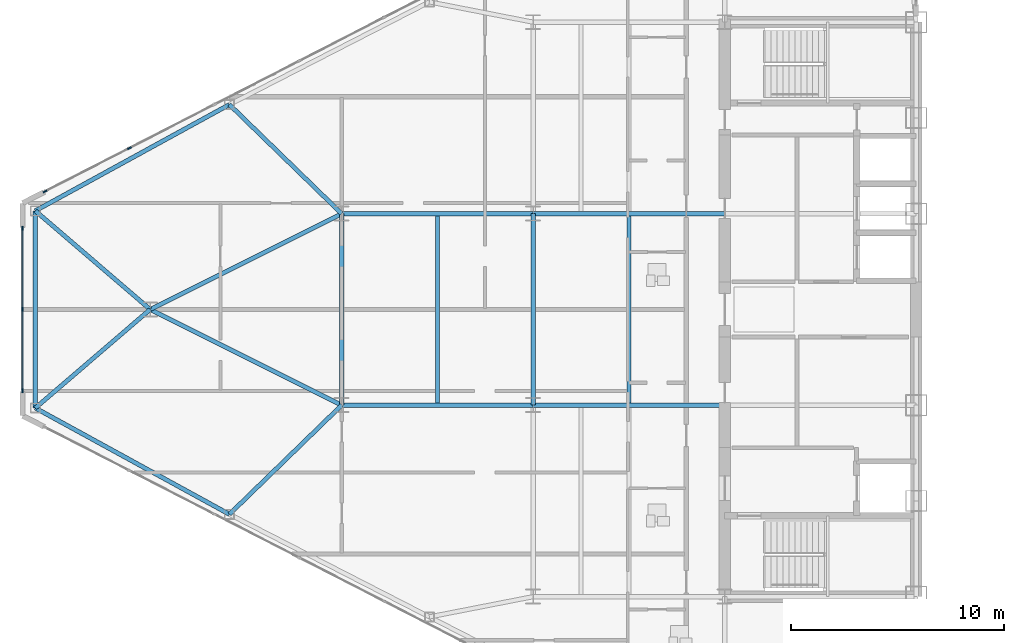
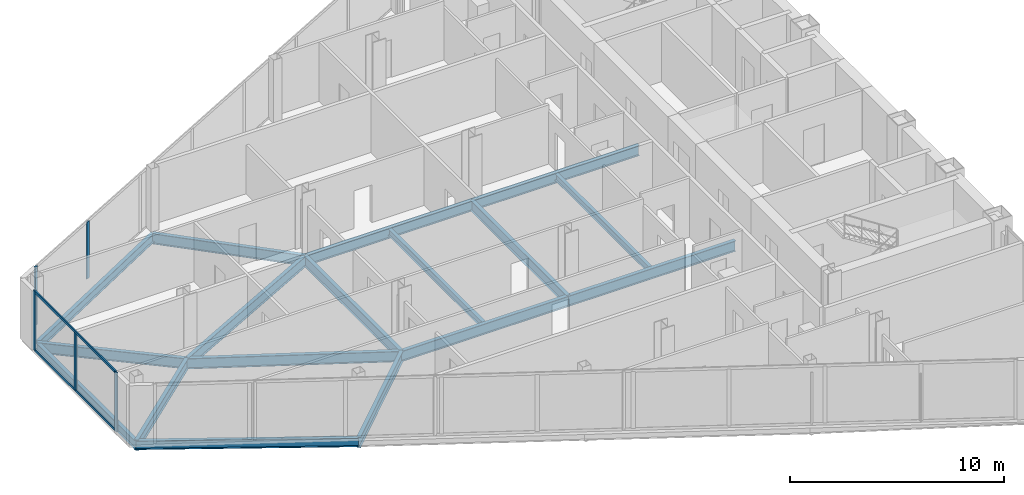
# One storey, part 4 of 23: 17 beams, 7 members, 2 elements without a shape of their own.
"""IFC4 building model written with IfcOpenShell, lengths in metres."""

from ifc_helpers import new_model, si_unit, direction, frame, origin, origin_2d, place, context, subcontext, project, spatial, rectangle, i_section, extrude, source, transform, mapped, material, layer, layer_set, material_profile, profile_set, type_object, type_shapes, element, aggregate, save


model = new_model("IFC4")

# Units and contexts
model_context = context("Model", 3, precision=1e-05, world=origin(), true_north=direction((0.0, 1.0)))
body_context = subcontext(model_context, "Body", "Model", "MODEL_VIEW")
ifc_project = project(units=[si_unit("LENGTHUNIT", "METRE"), si_unit("AREAUNIT", "SQUARE_METRE"), si_unit("VOLUMEUNIT", "CUBIC_METRE"), si_unit("PLANEANGLEUNIT", "RADIAN"), si_unit("MASSUNIT", "GRAM", prefix="KILO")], contexts=[model_context])

# Site, building, storey
site_placement = place(None, origin())
site = spatial("IfcSite", under=ifc_project, at=site_placement, CompositionType="ELEMENT")
building_placement = place(site_placement, origin())
building = spatial("IfcBuilding", under=site, at=building_placement, Name="Seokmaru Belvedere", CompositionType="ELEMENT")
storey_placement = place(building_placement, frame((0.0, 0.0, 144.0)))
storey = spatial("IfcBuildingStorey", under=building, at=storey_placement, Name="L38", CompositionType="ELEMENT", Elevation=144.0)

# Beams
ifc_material_1 = material(Name="Steel SM355 (355 MPa)", Category="steel")
ifc_material_profile_1 = material_profile(ifc_material_1, i_section(OverallWidth=0.199951171875, OverallDepth=0.60009765625, WebThickness=0.010986328125, FlangeThickness=0.01708984375, at=origin_2d()), Name="H-600x200x11x17")
ifc_profile_set_1 = profile_set([ifc_material_profile_1], Name="Steel SM355 (355 MPa)")
beam_type_1 = type_object("IfcBeamType", Name="Primary Floor Girder H-600", PredefinedType="BEAM", material=ifc_profile_set_1)
shared_shape_1 = source(origin(), body_context, "Body", "SweptSolid", [
    extrude(i_section(OverallWidth=0.199951171875, OverallDepth=0.60009765625, WebThickness=0.010986328125, FlangeThickness=0.01708984375, at=origin_2d()), origin(), (0.0, 0.0, 1.0), 9.0),
])
for number, where, z_axis, x_axis, name in (
    (1, (-45.5, -4.5, -0.52001953125), (0.0, 1.0, 0.0), (-1.0, 0.0, 0.0), "L38 W Interior Grid Girder 2"),
    (2, (-45.5, -4.5, -0.52001953125), (1.0, 0.0, 0.0), (0.0, 1.0, 0.0), "L38 W Wing Primary Girder 2"),
    (3, (-45.5, 4.5, -0.52001953125), (1.0, 0.0, 0.0), (0.0, 1.0, 0.0), "L38 W Wing Primary Girder 3"),
    (4, (-54.5, -4.5, -0.52001953125), (1.0, 0.0, 0.0), (0.0, 1.0, 0.0), "L38 W Outer Wing Girder 1"),
    (5, (-54.5, 4.5, -0.52001953125), (1.0, 0.0, 0.0), (0.0, 1.0, 0.0), "L38 W Outer Wing Girder 2"),
    (6, (-54.5, -4.5, -0.52001953125), (0.0, 1.0, 0.0), (-1.0, 0.0, 0.0), "L38 W Apex Frame Girder"),
):
    element("IfcBeam", number, at=place(storey_placement, frame(where, z_axis=z_axis, x_axis=x_axis)), inside=storey, type_object=beam_type_1, Name=name, PredefinedType="BEAM", context=body_context, shape_type="MappedRepresentation", body=[
        mapped(shared_shape_1, transform((0.0, 0.0, 0.0), scale=1.0)),
    ])
shared_shape_2 = source(origin(), body_context, "Body", "SweptSolid", [
    extrude(i_section(OverallWidth=0.199951171875, OverallDepth=0.60009765625, WebThickness=0.010986328125, FlangeThickness=0.01708984375, at=origin_2d()), origin(), (0.0, 0.0, 1.0), 10.062255859375),
])
for number, where, z_axis, x_axis, name in (
    (7, (-54.5, -4.5, -0.52001953125), (-0.894427191, 0.4472135955, 0.0), (-0.4472135955, -0.894427191, 0.0), "L38 W Apex Converging Girder 1"),
    (8, (-54.5, 4.5, -0.52001953125), (-0.894427191, -0.4472135955, 0.0), (0.4472135955, -0.894427191, 0.0), "L38 W Apex Converging Girder 2"),
):
    element("IfcBeam", number, at=place(storey_placement, frame(where, z_axis=z_axis, x_axis=x_axis)), inside=storey, type_object=beam_type_1, Name=name, PredefinedType="BEAM", context=body_context, shape_type="MappedRepresentation", body=[
        mapped(shared_shape_2, transform((0.0, 0.0, 0.0), scale=1.0)),
    ])
ifc_material_profile_2 = material_profile(ifc_material_1, i_section(OverallWidth=0.18505859375, OverallDepth=0.389892578125, WebThickness=0.008056640625, FlangeThickness=0.011962890625, at=origin_2d()), Name="H-390x185x8x12")
ifc_profile_set_2 = profile_set([ifc_material_profile_2], Name="Steel SM355 (355 MPa)")
beam_type_2 = type_object("IfcBeamType", Name="Secondary Floor Joist H-350", PredefinedType="JOIST", material=ifc_profile_set_2)
shared_shape_3 = source(origin(), body_context, "Body", "SweptSolid", [
    extrude(i_section(OverallWidth=0.18505859375, OverallDepth=0.389892578125, WebThickness=0.008056640625, FlangeThickness=0.011962890625, at=origin_2d()), origin(), (0.0, 0.0, 1.0), 8.7900390625),
])
type_shapes(beam_type_2, [shared_shape_3])
for number, where, z_axis, x_axis, name in (
    (9, (-41.0, -4.39501953125, -0.4150390625), (0.0, 1.0, 0.0), (-1.0, 0.0, 0.0), "L38 W Secondary Floor Joist 2"),
    (10, (-50.0, -4.39501953125, -0.4150390625), (0.0, 1.0, 0.0), (-1.0, 0.0, 0.0), "L38 W Outer Bay Secondary Joist"),
):
    element("IfcBeam", number, at=place(storey_placement, frame(where, z_axis=z_axis, x_axis=x_axis)), inside=storey, type_object=beam_type_2, Name=name, PredefinedType="JOIST", context=body_context, shape_type="MappedRepresentation", body=[
        mapped(shared_shape_3, transform((0.0, 0.0, 0.0), scale=1.0)),
    ])
ifc_material_profile_3 = material_profile(ifc_material_1, i_section(OverallWidth=0.199951171875, OverallDepth=0.5, WebThickness=0.010009765625, FlangeThickness=0.01611328125, at=origin_2d()), Name="H-500x200x10x16")
ifc_profile_set_3 = profile_set([ifc_material_profile_3], Name="Steel SM355 (355 MPa)")
beam_type_3 = type_object("IfcBeamType", Name="Perimeter Spandrel Beam H-500", PredefinedType="SPANDREL", material=ifc_profile_set_3)
shared_shape_4 = source(origin(), body_context, "Body", "SweptSolid", [
    extrude(i_section(OverallWidth=0.199951171875, OverallDepth=0.5, WebThickness=0.010009765625, FlangeThickness=0.01611328125, at=origin_2d()), origin(), (0.0, 0.0, 1.0), 10.399658203125),
])
for number, where, z_axis, x_axis, name in (
    (11, (-59.778564453125, -9.62890625, -0.469970703125), (-0.877082374422, 0.480339992587, 0.0), (-0.480339992587, -0.877082374422, 0.0), "L38 W Faceted Flank Spandrel S-4"),
    (12, (-59.778564453125, 9.62890625, -0.469970703125), (-0.877082374422, -0.480339992587, 0.0), (0.480339992587, -0.877082374422, 0.0), "L38 W Faceted Flank Spandrel N-4"),
):
    element("IfcBeam", number, at=place(storey_placement, frame(where, z_axis=z_axis, x_axis=x_axis)), inside=storey, type_object=beam_type_3, Name=name, PredefinedType="SPANDREL", context=body_context, shape_type="MappedRepresentation", body=[
        mapped(shared_shape_4, transform((0.0, 0.0, 0.0), scale=1.0)),
    ])
shared_shape_5 = source(origin(), body_context, "Body", "SweptSolid", [
    extrude(i_section(OverallWidth=0.199951171875, OverallDepth=0.5, WebThickness=0.010009765625, FlangeThickness=0.01611328125, at=origin_2d()), origin(), (0.0, 0.0, 1.0), 9.26708984375),
])
type_shapes(beam_type_3, [shared_shape_4, shared_shape_5])
beam_placement = place(storey_placement, frame((-68.89990234375, -4.633544921875, -0.469970703125), z_axis=(0.0, 1.0, 0.0), x_axis=(-1.0, 0.0, 0.0)))
element("IfcBeam", 13, at=beam_placement, inside=storey, type_object=beam_type_3, Name="L38 W Faceted Apex Spandrel", PredefinedType="SPANDREL", context=body_context, shape_type="MappedRepresentation", body=[
    mapped(shared_shape_5, transform((0.0, 0.0, 0.0), scale=1.0)),
])
shared_shape_6 = source(origin(), body_context, "Body", "SweptSolid", [
    extrude(i_section(OverallWidth=0.199951171875, OverallDepth=0.60009765625, WebThickness=0.010986328125, FlangeThickness=0.01708984375, at=origin_2d()), origin(), (0.0, 0.0, 1.0), 7.35986328125),
])
for number, where, z_axis, x_axis, name in (
    (14, (-59.778564453125, -9.62890625, -0.52001953125), (0.717200745515, 0.696866623273, 0.0), (-0.696866623273, 0.717200745515, 0.0), "L38 W Flank Radial Floor Girder S-3"),
    (15, (-59.778564453125, 9.62890625, -0.52001953125), (0.717200745515, -0.696866623273, 0.0), (0.696866623273, 0.717200745515, 0.0), "L38 W Flank Radial Floor Girder N-3"),
):
    element("IfcBeam", number, at=place(storey_placement, frame(where, z_axis=z_axis, x_axis=x_axis)), inside=storey, type_object=beam_type_1, Name=name, PredefinedType="BEAM", context=body_context, shape_type="MappedRepresentation", body=[
        mapped(shared_shape_6, transform((0.0, 0.0, 0.0), scale=1.0)),
    ])
shared_shape_7 = source(origin(), body_context, "Body", "SweptSolid", [
    extrude(i_section(OverallWidth=0.199951171875, OverallDepth=0.60009765625, WebThickness=0.010986328125, FlangeThickness=0.01708984375, at=origin_2d()), origin(), (0.0, 0.0, 1.0), 7.115478515625),
])
type_shapes(beam_type_1, [shared_shape_1, shared_shape_2, shared_shape_6, shared_shape_7])
for number, where, z_axis, x_axis, name in (
    (16, (-68.89990234375, -4.633544921875, -0.52001953125), (0.758905301881, 0.651201000289, 0.0), (-0.651201000289, 0.758905301881, 0.0), "L38 W Apex Radial Floor Girder 1"),
    (17, (-68.89990234375, 4.633544921875, -0.52001953125), (0.758905301881, -0.651201000289, 0.0), (0.651201000289, 0.758905301881, 0.0), "L38 W Apex Radial Floor Girder 2"),
):
    element("IfcBeam", number, at=place(storey_placement, frame(where, z_axis=z_axis, x_axis=x_axis)), inside=storey, type_object=beam_type_1, Name=name, PredefinedType="BEAM", context=body_context, shape_type="MappedRepresentation", body=[
        mapped(shared_shape_7, transform((0.0, 0.0, 0.0), scale=1.0)),
    ])

# Curtain wall, member
ifc_material_2 = material(Name="Bronze Triple Insulating Glass", Category="glass")
ifc_layer = layer(ifc_material_2, 0.195068359375)
ifc_layer_set = layer_set([ifc_layer], Name="Bronze Triple Insulating Glass")
curtain_wall_type = type_object("IfcCurtainWallType", Name="Sky-Lobby and Mid-Rise Curtain Wall System CW-4", PredefinedType="NOTDEFINED", material=ifc_layer_set)
curtain_wall_1_placement = place(storey_placement, origin())
curtain_wall_1 = element("IfcCurtainWall", 18, at=curtain_wall_1_placement, inside=storey, type_object=curtain_wall_type, Name="L38 Curtain Wall WF3", PredefinedType="NOTDEFINED")
ifc_material_3 = material(Name="Anodised Bronze Aluminium", Category="aluminium")
ifc_material_profile_4 = material_profile(ifc_material_3, rectangle(XDim=0.070068359375, YDim=0.195068359375, at=origin_2d()), Name="CW-M-70x195")
ifc_profile_set_4 = profile_set([ifc_material_profile_4], Name="Anodised Bronze Aluminium")
member_type_1 = type_object("IfcMemberType", Name="Bronze Unitised Mullion 70x195", PredefinedType="MULLION", material=ifc_profile_set_4)
shared_shape_8 = source(origin(), body_context, "Body", "SweptSolid", [
    extrude(rectangle(XDim=0.070068359375, YDim=0.195068359375, at=origin_2d()), origin(), (0.0, 0.0, 1.0), 3.3798828125),
])
member_1_placement = place(storey_placement, frame((-68.44580078125, 5.541015625, 0.0), z_axis=(0.0, 0.0, 1.0), x_axis=(0.456554528263, -0.889695432562, 0.0)))
member_1 = element("IfcMember", 19, at=member_1_placement, type_object=member_type_1, Name="CW:L38:WF3 Mullion 10", PredefinedType="MULLION", context=body_context, shape_type="MappedRepresentation", body=[
    mapped(shared_shape_8, transform((0.0, 0.0, 0.0), scale=1.0)),
])

# Curtain wall, members
curtain_wall_2_placement = place(storey_placement, origin())
curtain_wall_2 = element("IfcCurtainWall", 20, at=curtain_wall_2_placement, inside=storey, type_object=curtain_wall_type, Name="L38 Curtain Wall WF4", PredefinedType="NOTDEFINED")
member_2_placement = place(storey_placement, frame((-69.5, 3.81494140625, 0.0), z_axis=(0.0, 0.0, 1.0), x_axis=(1.0, 0.0, 0.0)))
member_2 = element("IfcMember", 21, at=member_2_placement, type_object=member_type_1, Name="CW:L38:WF4 Mullion 1", PredefinedType="MULLION", context=body_context, shape_type="MappedRepresentation", body=[
    mapped(shared_shape_8, transform((0.0, 0.0, 0.0), scale=1.0)),
])
member_3_placement = place(storey_placement, frame((-69.5, -3.81494140625, 0.0), z_axis=(0.0, 0.0, 1.0), x_axis=(1.0, 0.0, 0.0)))
member_3 = element("IfcMember", 22, at=member_3_placement, type_object=member_type_1, Name="CW:L38:WF4 Mullion 3", PredefinedType="MULLION", context=body_context, shape_type="MappedRepresentation", body=[
    mapped(shared_shape_8, transform((0.0, 0.0, 0.0), scale=1.0)),
])

# Member
shared_shape_9 = source(origin(), body_context, "Body", "SweptSolid", [
    extrude(rectangle(XDim=0.070068359375, YDim=0.195068359375, at=origin_2d()), origin(), (0.0, 0.0, 1.0), 3.25),
])
type_shapes(member_type_1, [shared_shape_8, shared_shape_9])
member_4_placement = place(storey_placement, frame((-64.48193359375, 7.574951171875, 0.06494140625), z_axis=(0.0, 0.0, 1.0), x_axis=(0.456554528263, -0.889695432562, 0.0)))
member_4 = element("IfcMember", 23, at=member_4_placement, type_object=member_type_1, Name="CW:L38:WF3 Mullion 9", PredefinedType="MULLION", context=body_context, shape_type="MappedRepresentation", body=[
    mapped(shared_shape_9, transform((0.0, 0.0, 0.0), scale=1.0)),
])

aggregate(curtain_wall_1, [member_4, member_1])

member_5_placement = place(storey_placement, frame((-69.5, 0.0, 0.06494140625), z_axis=(0.0, 0.0, 1.0), x_axis=(1.0, 0.0, 0.0)))
member_5 = element("IfcMember", 24, at=member_5_placement, type_object=member_type_1, Name="CW:L38:WF4 Mullion 2", PredefinedType="MULLION", context=body_context, shape_type="MappedRepresentation", body=[
    mapped(shared_shape_9, transform((0.0, 0.0, 0.0), scale=1.0)),
])

ifc_material_profile_5 = material_profile(ifc_material_3, rectangle(XDim=0.06494140625, YDim=0.14990234375, at=origin_2d()), Name="CW-T-65x150")
ifc_profile_set_5 = profile_set([ifc_material_profile_5], Name="Anodised Bronze Aluminium")
member_type_2 = type_object("IfcMemberType", Name="Bronze Unitised Transom 65x150", PredefinedType="USERDEFINED", material=ifc_profile_set_5)
shared_shape_10 = source(origin(), body_context, "Body", "SweptSolid", [
    extrude(rectangle(XDim=0.06494140625, YDim=0.14990234375, at=origin_2d()), origin(), (0.0, 0.0, 1.0), 7.56005859375),
])
type_shapes(member_type_2, [shared_shape_10])
member_6_placement = place(storey_placement, frame((-69.5, 3.780029296875, 0.032470703125), z_axis=(0.0, -1.0, 0.0), x_axis=(1.0, 0.0, 0.0)))
member_6 = element("IfcMember", 25, at=member_6_placement, type_object=member_type_2, Name="CW:L38:WF4 Continuous Transom 1", ObjectType="TRANSOM", PredefinedType="USERDEFINED", context=body_context, shape_type="MappedRepresentation", body=[
    mapped(shared_shape_10, transform((0.0, 0.0, 0.0), scale=1.0)),
])

member_7_placement = place(storey_placement, frame((-69.5, 3.780029296875, 3.347412109375), z_axis=(0.0, -1.0, 0.0), x_axis=(1.0, 0.0, 0.0)))
member_7 = element("IfcMember", 26, at=member_7_placement, type_object=member_type_2, Name="CW:L38:WF4 Continuous Transom 2", ObjectType="TRANSOM", PredefinedType="USERDEFINED", context=body_context, shape_type="MappedRepresentation", body=[
    mapped(shared_shape_10, transform((0.0, 0.0, 0.0), scale=1.0)),
])

aggregate(curtain_wall_2, [member_2, member_5, member_3, member_6, member_7])

save(model, "model.ifc")
